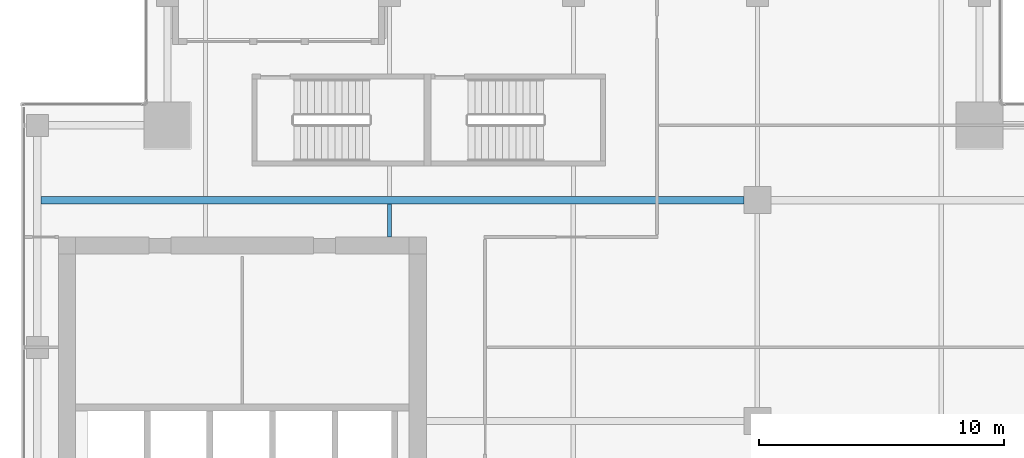
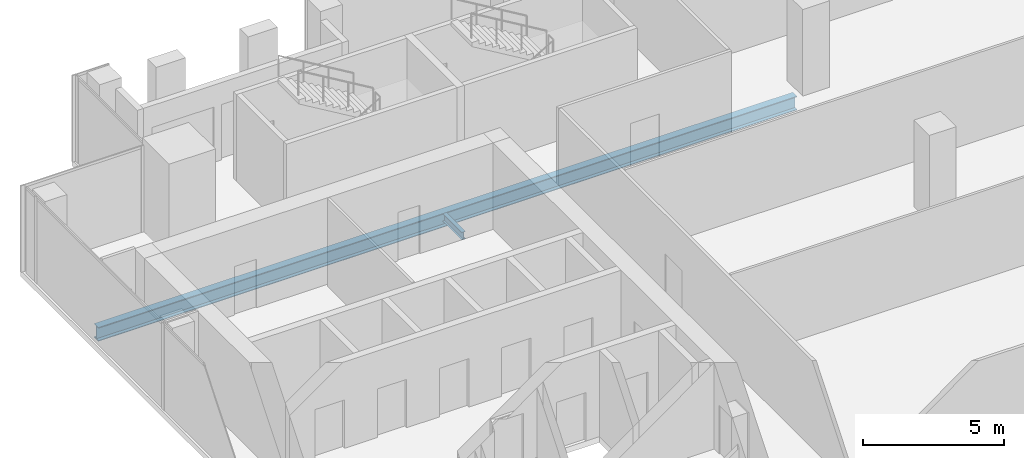
# One storey, part 15 of 35: 2 beams.
"""IFC4 building model written with IfcOpenShell, lengths in metres."""

from ifc_helpers import new_model, si_unit, direction, frame, origin, origin_2d, place, context, subcontext, project, spatial, i_section, extrude, source, transform, mapped, material, material_profile, profile_set, type_object, element, save


model = new_model("IFC4")

# Units and contexts
model_context = context("Model", 3, precision=1e-05, world=origin(), true_north=direction((0.0, 1.0)))
body_context = subcontext(model_context, "Body", "Model", "MODEL_VIEW")
ifc_project = project(units=[si_unit("LENGTHUNIT", "METRE"), si_unit("AREAUNIT", "SQUARE_METRE"), si_unit("VOLUMEUNIT", "CUBIC_METRE"), si_unit("PLANEANGLEUNIT", "RADIAN"), si_unit("MASSUNIT", "GRAM", prefix="KILO")], contexts=[model_context])

# Site, building, storey
site_placement = place(None, origin())
site = spatial("IfcSite", under=ifc_project, at=site_placement, CompositionType="ELEMENT")
building_placement = place(site_placement, origin())
building = spatial("IfcBuilding", under=site, at=building_placement, Name="Khomas Fold Tower", CompositionType="ELEMENT")
storey_placement = place(building_placement, frame((0.0, 0.0, 250.199951171875)))
storey = spatial("IfcBuildingStorey", under=building, at=storey_placement, Name="L56", CompositionType="ELEMENT", Elevation=250.199951171875)

# Beams
ifc_material_1 = material(Name="Steel S355", Category="steel")
ifc_material_profile_1 = material_profile(ifc_material_1, i_section(OverallWidth=0.159912109375, OverallDepth=0.330078125, WebThickness=0.007568359375, FlangeThickness=0.011474609375, at=origin_2d()), Name="IPE 330")
ifc_profile_set_1 = profile_set([ifc_material_profile_1], Name="Steel S355")
beam_type_1 = type_object("IfcBeamType", Name="IPE 330 beam JB1", PredefinedType="BEAM", material=ifc_profile_set_1)
shared_shape_1 = source(origin(), body_context, "Body", "SweptSolid", [
    extrude(i_section(OverallWidth=0.159912109375, OverallDepth=0.330078125, WebThickness=0.007568359375, FlangeThickness=0.011474609375, at=origin_2d()), origin(), (0.0, 0.0, 1.0), 1.35009765625),
])
beam_1_placement = place(storey_placement, frame((19.5, 39.0, -0.4150390625), z_axis=(0.0, 1.0, 0.0), x_axis=(-1.0, 0.0, 0.0)))
element("IfcBeam", 1, at=beam_1_placement, inside=storey, type_object=beam_type_1, Name="JB1", PredefinedType="BEAM", context=body_context, shape_type="MappedRepresentation", body=[
    mapped(shared_shape_1, transform((0.0, 0.0, 0.0))),
])
ifc_material_2 = material(Name="Steel S355", Category="steel")
ifc_material_profile_2 = material_profile(ifc_material_2, i_section(OverallWidth=0.300048828125, OverallDepth=0.60009765625, WebThickness=0.015380859375, FlangeThickness=0.030029296875, at=origin_2d()), Name="HE 600 B")
ifc_profile_set_2 = profile_set([ifc_material_profile_2], Name="Steel S355")
beam_type_2 = type_object("IfcBeamType", Name="HE 600 B beam GB5", PredefinedType="BEAM", material=ifc_profile_set_2)
shared_shape_2 = source(origin(), body_context, "Body", "SweptSolid", [
    extrude(i_section(OverallWidth=0.300048828125, OverallDepth=0.60009765625, WebThickness=0.015380859375, FlangeThickness=0.030029296875, at=origin_2d()), origin(), (0.0, 0.0, 1.0), 28.64990234375),
])
beam_2_placement = place(storey_placement, frame((5.300048828125, 40.5, -0.550048828125), z_axis=(1.0, 0.0, 0.0), x_axis=(0.0, 1.0, 0.0)))
element("IfcBeam", 2, at=beam_2_placement, inside=storey, type_object=beam_type_2, Name="GB5", PredefinedType="BEAM", context=body_context, shape_type="MappedRepresentation", body=[
    mapped(shared_shape_2, transform((0.0, 0.0, 0.0))),
])

save(model, "model.ifc")
